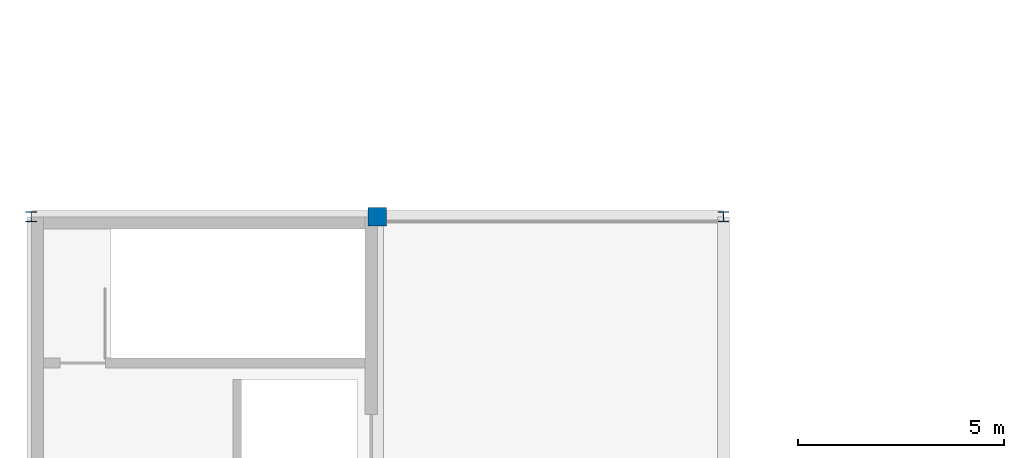
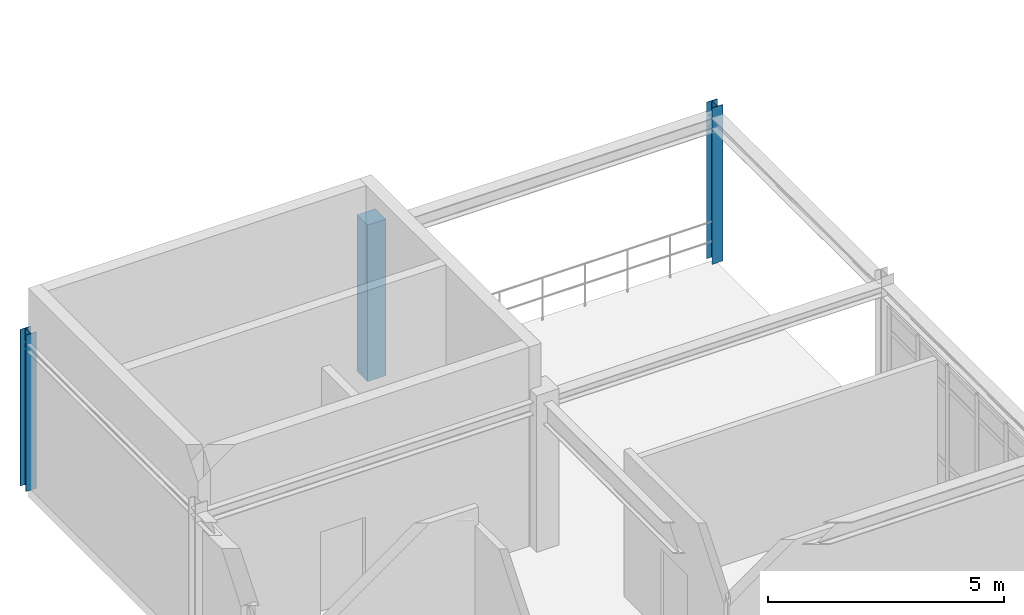
# One storey, part 5 of 58: 3 columns.
"""IFC4 building model written with IfcOpenShell, lengths in metres."""

from ifc_helpers import new_model, si_unit, derived_unit, direction, frame, origin, origin_2d, place, context, subcontext, project, spatial, rectangle, i_section, extrude, material, material_profile, profile_set, type_object, element, save


model = new_model("IFC4")

# Units and contexts
model_context = context("Model", 3, precision=1e-05, world=origin(), true_north=direction((0.0, 1.0)))
body_context = subcontext(model_context, "Body", "Model", "MODEL_VIEW")
ifc_project = project(units=[si_unit("LENGTHUNIT", "METRE"), si_unit("AREAUNIT", "SQUARE_METRE"), si_unit("VOLUMEUNIT", "CUBIC_METRE"), si_unit("PLANEANGLEUNIT", "RADIAN"), si_unit("MASSUNIT", "GRAM", prefix="KILO"), derived_unit("THERMALTRANSMITTANCEUNIT", [(si_unit("POWERUNIT", "WATT"), 1), (si_unit("AREAUNIT", "SQUARE_METRE"), -1), (si_unit("THERMODYNAMICTEMPERATUREUNIT", "KELVIN"), -1)])], contexts=[model_context])

# Site, building, storey
site_placement = place(None, origin())
site = spatial("IfcSite", under=ifc_project, at=site_placement, CompositionType="ELEMENT")
building_placement = place(site_placement, origin())
building = spatial("IfcBuilding", under=site, at=building_placement, Name="Yasenodar Specialist Clinic", CompositionType="ELEMENT")
storey_placement = place(building_placement, frame((0.0, 0.0, 21.300048828125)))
storey = spatial("IfcBuildingStorey", under=building, at=storey_placement, Name="L05", CompositionType="ELEMENT", Elevation=21.300048828125)

# Columns
ifc_material_1 = material(Name="Concrete C35/45", Category="concrete")
ifc_material_profile_1 = material_profile(ifc_material_1, rectangle(XDim=0.449951171875, YDim=0.449951171875, at=origin_2d()), Name="RC 450x450")
ifc_profile_set_1 = profile_set([ifc_material_profile_1], Name="Concrete C35/45")
column_type_1 = type_object("IfcColumnType", Name="COL-RC-450", PredefinedType="COLUMN", material=ifc_profile_set_1)
column_placement = place(storey_placement, frame((8.39990234375, 104.39990234375, 0.0), z_axis=(0.0, 0.0, 1.0), x_axis=(1.0, 0.0, 0.0)))
element("IfcColumn", 1, at=column_placement, inside=storey, type_object=column_type_1, Name="L05 Column V4-029", PredefinedType="COLUMN", context=body_context, shape_type="SweptSolid", body=[
    extrude(rectangle(XDim=0.449951171875, YDim=0.449951171875, at=origin_2d()), origin(), (0.0, 0.0, 1.0), 4.050048828125),
])
ifc_material_2 = material(Name="Steel S355", Category="steel")
ifc_material_profile_2 = material_profile(ifc_material_2, i_section(OverallWidth=0.260009765625, OverallDepth=0.25, WebThickness=0.007568359375, FlangeThickness=0.012451171875, FilletRadius=0.02392578125, at=origin_2d()), Name="HEA 260")
ifc_profile_set_2 = profile_set([ifc_material_profile_2], Name="Steel S355")
column_type_2 = type_object("IfcColumnType", Name="COL-ST-HEA260", PredefinedType="COLUMN", material=ifc_profile_set_2)
for number, where, z_axis, x_axis, name in (
    (2, (0.0, 104.39990234375, 0.0), (0.0, 0.0, 1.0), (1.0, 0.0, 0.0), "L05 Column V4-014"),
    (3, (16.800048828125, 104.39990234375, 0.0), (0.0, 0.0, 1.0), (1.0, 0.0, 0.0), "L05 Column V4-044"),
):
    element("IfcColumn", number, at=place(storey_placement, frame(where, z_axis=z_axis, x_axis=x_axis)), inside=storey, type_object=column_type_2, Name=name, PredefinedType="COLUMN", context=body_context, shape_type="SweptSolid", body=[
        extrude(i_section(OverallWidth=0.260009765625, OverallDepth=0.25, WebThickness=0.007568359375, FlangeThickness=0.012451171875, FilletRadius=0.02392578125, at=origin_2d()), origin(), (0.0, 0.0, 1.0), 4.050048828125),
    ])

save(model, "model.ifc")
